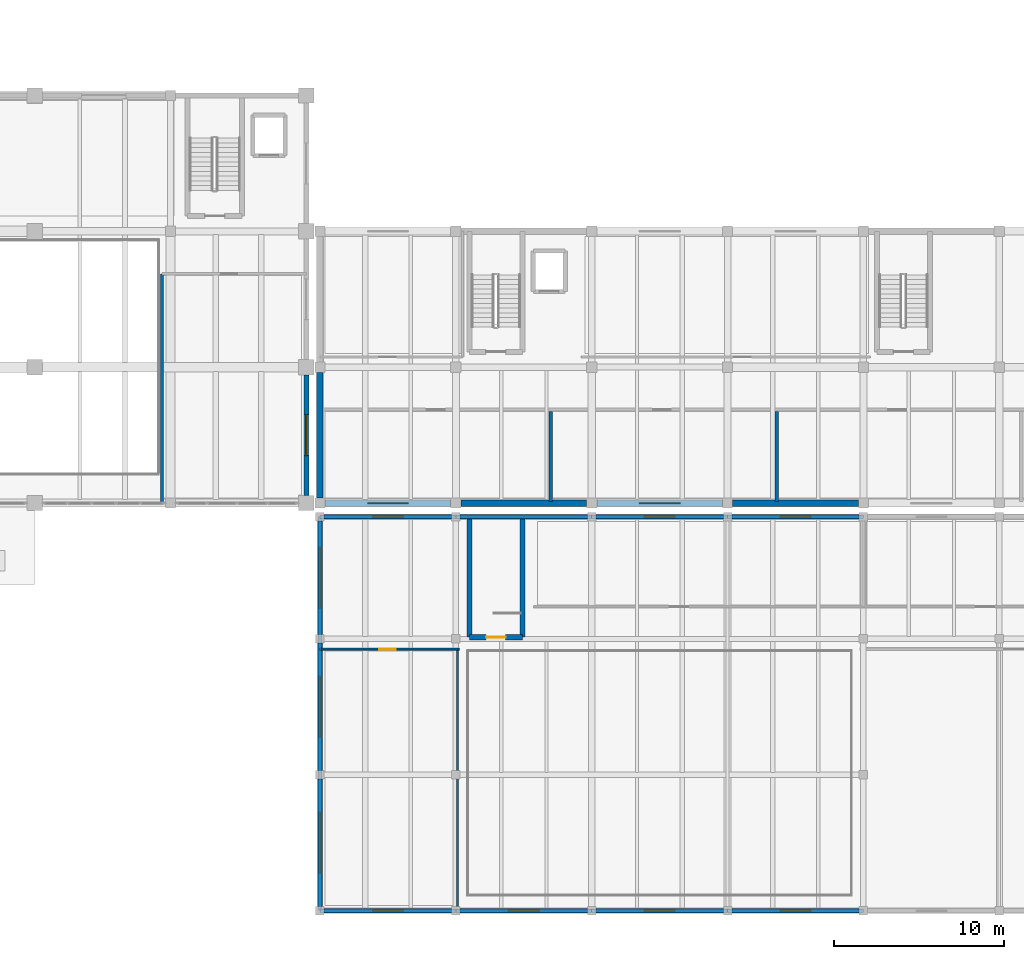
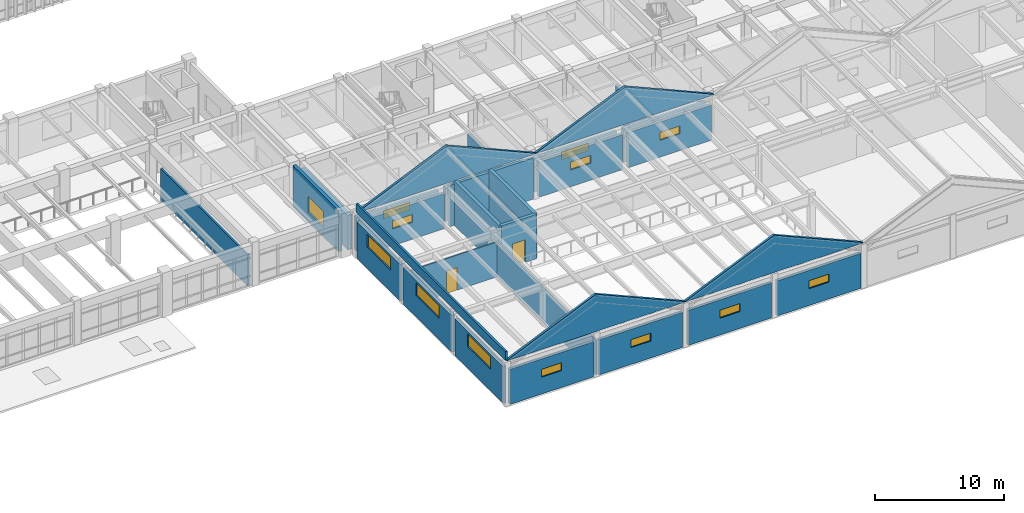
# One storey, part 44 of 67: 30 walls, 13 windows, 2 doors, 15 openings.
"""IFC4 building model written with IfcOpenShell, lengths in metres."""

from ifc_helpers import new_model, si_unit, direction, frame, frame_2d, origin, place, context, subcontext, project, spatial, polyline, rectangle, outline, extrude, material, layer, layer_set, type_object, element, fill, save


model = new_model("IFC4")

# Units and contexts
model_context = context("Model", 3, precision=1e-05, world=origin(), true_north=direction((0.0, 1.0)))
body_context = subcontext(model_context, "Body", "Model", "MODEL_VIEW")
ifc_project = project(units=[si_unit("LENGTHUNIT", "METRE"), si_unit("AREAUNIT", "SQUARE_METRE"), si_unit("VOLUMEUNIT", "CUBIC_METRE"), si_unit("PLANEANGLEUNIT", "RADIAN"), si_unit("MASSUNIT", "GRAM", prefix="KILO")], contexts=[model_context])

# Site, building, storey
site_placement = place(None, origin())
site = spatial("IfcSite", under=ifc_project, at=site_placement, CompositionType="ELEMENT")
building_placement = place(site_placement, origin())
building = spatial("IfcBuilding", under=site, at=building_placement, Name="Tlaxcora Railside Police Headquarters", CompositionType="ELEMENT")
storey_placement = place(building_placement, frame((0.0, 0.0, 4.800048828125)))
storey = spatial("IfcBuildingStorey", under=building, at=storey_placement, Name="L01", CompositionType="ELEMENT", Elevation=4.800048828125)

# Walls
ifc_material_1 = material(Name="Gypsum acoustic partition board")
ifc_layer_1 = layer(ifc_material_1, 0.10791015625, Name="Gypsum acoustic partition board")
ifc_layer_set_1 = layer_set([ifc_layer_1], Name="Gypsum acoustic partition board")
wall_type_1 = type_object("IfcWallType", Name="Interior Partition Wall IW-19", PredefinedType="PARTITIONING", material=ifc_layer_set_1)
wall_1_placement = place(storey_placement, frame((110.89990234375, 12.0, 0.0), z_axis=(0.0, 0.0, 1.0), x_axis=(0.0, 1.0, 0.0)))
element("IfcWall", 1, at=wall_1_placement, inside=storey, type_object=wall_type_1, Name="V3 L01 interior partition 89", PredefinedType="PARTITIONING", context=body_context, shape_type="SweptSolid", body=[
    extrude(rectangle(XDim=15.39990234375, YDim=0.10791015625, at=frame_2d((7.699951171875, 0.0))), origin(), (0.0, 0.0, 1.0), 3.31787109375),
])
ifc_layer_2 = layer(ifc_material_1, 0.16796875, Name="Gypsum acoustic partition board")
ifc_layer_set_2 = layer_set([ifc_layer_2], Name="Gypsum acoustic partition board")
wall_type_2 = type_object("IfcWallType", Name="Interior Partition Wall IW-31", PredefinedType="PARTITIONING", material=ifc_layer_set_2)
wall_2_placement = place(storey_placement, frame((93.5, 36.0, 0.0), z_axis=(0.0, 0.0, 1.0), x_axis=(0.0, 1.0, 0.0)))
element("IfcWall", 2, at=wall_2_placement, inside=storey, type_object=wall_type_2, Name="V1 L01 interior partition 82", PredefinedType="PARTITIONING", context=body_context, shape_type="SweptSolid", body=[
    extrude(rectangle(XDim=13.5, YDim=0.16796875, at=frame_2d((6.75, 0.0))), origin(), (0.0, 0.0, 1.0), 2.945068359375),
])
ifc_layer_3 = layer(ifc_material_1, 0.18994140625, Name="Gypsum acoustic partition board")
ifc_layer_set_3 = layer_set([ifc_layer_3], Name="Gypsum acoustic partition board")
wall_type_3 = type_object("IfcWallType", Name="Interior Partition Wall IW-72", PredefinedType="PARTITIONING", material=ifc_layer_set_3)
for number, where, z_axis, x_axis, name in (
    (3, (116.39599609375, 36.080078125, 0.0), (0.0, 0.0, 1.0), (0.0, 1.0, 0.0), "V7 L01 interior partition 92"),
    (4, (129.69189453125, 36.080078125, 0.0), (0.0, 0.0, 1.0), (0.0, 1.0, 0.0), "V7 L01 interior partition 93"),
):
    element("IfcWall", number, at=place(storey_placement, frame(where, z_axis=z_axis, x_axis=x_axis)), inside=storey, type_object=wall_type_3, Name=name, PredefinedType="PARTITIONING", context=body_context, shape_type="SweptSolid", body=[
        extrude(rectangle(XDim=5.31982421875, YDim=0.18994140625, at=frame_2d((2.659912109375, 0.0))), origin(), (0.0, 0.0, 1.0), 3.14501953125),
    ])

# Wall, opening, door
ifc_layer_4 = layer(ifc_material_1, 0.114990234375, Name="Gypsum acoustic partition board")
ifc_layer_set_4 = layer_set([ifc_layer_4], Name="Gypsum acoustic partition board")
wall_type_4 = type_object("IfcWallType", Name="Interior Partition Wall IW-87", PredefinedType="PARTITIONING", material=ifc_layer_set_4)
wall_3_placement = place(storey_placement, frame((102.800048828125, 27.39990234375, 0.0), z_axis=(0.0, 0.0, 1.0), x_axis=(1.0, 0.0, 0.0)))
wall_3 = element("IfcWall", 5, at=wall_3_placement, inside=storey, type_object=wall_type_4, Name="V3 L01 interior partition 88", PredefinedType="PARTITIONING", context=body_context, shape_type="SweptSolid", body=[
    extrude(rectangle(XDim=8.199951171875, YDim=0.114990234375, at=frame_2d((4.10009765625, 0.0))), origin(), (0.0, 0.0, 1.0), 3.31787109375),
])
opening_1_placement = place(wall_3_placement, frame((3.5, 0.0, 0.0)))
opening_1 = element("IfcOpeningElement", 6, at=opening_1_placement, cuts=wall_3, Name="Opening D-L01-131", PredefinedType="OPENING", context=body_context, shape_type="SweptSolid", body=[
    extrude(rectangle(XDim=0.949951171875, YDim=2.14990234375, at=frame_2d((0.47509765625, 1.074951171875))), frame((0.0, 0.0673828125, 0.0), z_axis=(0.0, -1.0, 0.0), x_axis=(1.0, 0.0, 0.0)), (0.0, 0.0, 1.0), 0.135009765625),
])
ifc_material_2 = material(Name="Steel ASTM A992 Grade 50", Category="steel")
door_type_1 = type_object("IfcDoorType", Name="Swing or Sliding Personnel Door ID-31", OperationType="NOTDEFINED", PredefinedType="DOOR", material=ifc_material_2)
door_1_placement = place(opening_1_placement, origin())
door_1 = element("IfcDoor", 7, at=door_1_placement, inside=storey, type_object=door_type_1, Name="V3 L01 door D-L01-131", OperationType="SINGLE_SWING_RIGHT", OverallHeight=2.14990234375, OverallWidth=0.949951171875, PredefinedType="DOOR", context=body_context, shape_type="SweptSolid", body=[
    extrude(rectangle(XDim=0.949951171875, YDim=2.14990234375, at=frame_2d((0.47509765625, 1.074951171875))), frame((0.0, 0.02490234375, 0.0), z_axis=(0.0, -1.0, 0.0), x_axis=(1.0, 0.0, 0.0)), (0.0, 0.0, 1.0), 0.050048828125),
])
fill(opening_1, door_1)

# Wall
ifc_material_3 = material(Name="Precast concrete C40/50", Category="concrete")
ifc_layer_5 = layer(ifc_material_3, 0.179931640625, Name="Precast concrete C40/50")
ifc_layer_set_5 = layer_set([ifc_layer_5], Name="Precast concrete C40/50")
wall_type_5 = type_object("IfcWallType", Name="Roof Parapet Wall EW-45", PredefinedType="PARAPET", material=ifc_layer_set_5)
wall_4_placement = place(storey_placement, frame((102.800048828125, 12.0, 4.199951171875), z_axis=(0.0, 0.0, 1.0), x_axis=(0.0, 1.0, 0.0)))
element("IfcWall", 8, at=wall_4_placement, inside=storey, type_object=wall_type_5, Name="Roof parapet L01-03", PredefinedType="PARAPET", context=body_context, shape_type="SweptSolid", body=[
    extrude(rectangle(XDim=23.199951171875, YDim=0.179931640625, at=frame_2d((11.60009765625, 0.0))), origin(), (0.0, 0.0, 1.0), 0.85009765625),
])

# Wall, opening, door
ifc_material_4 = material(Name="Concrete C40/50", Category="concrete")
ifc_layer_6 = layer(ifc_material_4, 0.300048828125, Name="Concrete C40/50")
ifc_layer_set_6 = layer_set([ifc_layer_6], Name="Concrete C40/50")
wall_type_6 = type_object("IfcWallType", Name="Shear Core Wall IW-28", PredefinedType="SHEAR", material=ifc_layer_set_6)
wall_5_placement = place(storey_placement, frame((111.60009765625, 28.10009765625, 0.0), z_axis=(0.0, 0.0, 1.0), x_axis=(1.0, 0.0, 0.0)))
wall_5 = element("IfcWall", 9, at=wall_5_placement, inside=storey, type_object=wall_type_6, Name="CORE-C8 L01 stair core wall S", PredefinedType="SHEAR", context=body_context, shape_type="SweptSolid", body=[
    extrude(rectangle(XDim=3.119873046875, YDim=0.300048828125, at=frame_2d((1.56005859375, 0.0))), origin(), (0.0, 0.0, 1.0), 4.199951171875),
])
opening_2_placement = place(wall_5_placement, frame((0.985107421875, 0.0, 0.0)))
opening_2 = element("IfcOpeningElement", 10, at=opening_2_placement, cuts=wall_5, Name="Opening SD-L01-056", PredefinedType="OPENING", context=body_context, shape_type="SweptSolid", body=[
    extrude(rectangle(XDim=1.14990234375, YDim=2.14990234375, at=frame_2d((0.574951171875, 1.074951171875))), frame((0.0, 0.16015625, 0.0), z_axis=(0.0, -1.0, 0.0), x_axis=(1.0, 0.0, 0.0)), (0.0, 0.0, 1.0), 0.320068359375),
])
door_type_2 = type_object("IfcDoorType", Name="Swing or Sliding Personnel Door ID-73", OperationType="NOTDEFINED", PredefinedType="DOOR", material=ifc_material_2)
door_2_placement = place(opening_2_placement, origin())
door_2 = element("IfcDoor", 11, at=door_2_placement, inside=storey, type_object=door_type_2, Name="Stair ST7 L01 enclosure fire door", OperationType="SINGLE_SWING_RIGHT", OverallHeight=2.14990234375, OverallWidth=1.14990234375, PredefinedType="DOOR", context=body_context, shape_type="SweptSolid", body=[
    extrude(rectangle(XDim=1.14990234375, YDim=2.14990234375, at=frame_2d((0.574951171875, 1.074951171875))), frame((0.0, 0.02490234375, 0.0), z_axis=(0.0, -1.0, 0.0), x_axis=(1.0, 0.0, 0.0)), (0.0, 0.0, 1.0), 0.050048828125),
])
fill(opening_2, door_2)

# Walls
for number, where, z_axis, x_axis, name in (
    (12, (114.719970703125, 28.10009765625, 0.0), (0.0, 0.0, 1.0), (0.0, 1.0, 0.0), "CORE-C8 L01 stair core wall E"),
    (13, (111.60009765625, 35.199951171875, 0.0), (0.0, 0.0, 1.0), (0.0, -1.0, 0.0), "CORE-C8 L01 stair core wall W"),
):
    element("IfcWall", number, at=place(storey_placement, frame(where, z_axis=z_axis, x_axis=x_axis)), inside=storey, type_object=wall_type_6, Name=name, PredefinedType="SHEAR", context=body_context, shape_type="SweptSolid", body=[
        extrude(rectangle(XDim=7.099853515625, YDim=0.300048828125, at=frame_2d((3.5498046875, 0.0))), origin(), (0.0, 0.0, 1.0), 4.199951171875),
    ])

# Wall, opening, window
ifc_layer_7 = layer(ifc_material_4, 0.3798828125, Name="Concrete C40/50")
ifc_layer_set_7 = layer_set([ifc_layer_7], Name="Concrete C40/50")
wall_type_7 = type_object("IfcWallType", Name="Structural Bearing Wall EW-29", PredefinedType="SOLIDWALL", material=ifc_layer_set_7)
wall_6_placement = place(storey_placement, frame((103.10009765625, 36.0, 0.0), z_axis=(0.0, 0.0, 1.0), x_axis=(1.0, 0.0, 0.0)))
wall_6 = element("IfcWall", 14, at=wall_6_placement, inside=storey, type_object=wall_type_7, Name="V7 L01 exterior wall 0.0", PredefinedType="SOLIDWALL", context=body_context, shape_type="SweptSolid", body=[
    extrude(rectangle(XDim=7.39990234375, YDim=0.3798828125, at=frame_2d((3.699951171875, 0.0))), origin(), (0.0, 0.0, 1.0), 3.159912109375),
])
opening_3_placement = place(wall_6_placement, frame((2.5, 0.0, 2.10009765625)))
opening_3 = element("IfcOpeningElement", 15, at=opening_3_placement, cuts=wall_6, Name="Opening WN-32", PredefinedType="OPENING", context=body_context, shape_type="SweptSolid", body=[
    extrude(rectangle(XDim=2.39990234375, YDim=0.75, at=frame_2d((1.199951171875, 0.375))), frame((0.0, 0.199951171875, 0.0), z_axis=(0.0, -1.0, 0.0), x_axis=(1.0, 0.0, 0.0)), (0.0, 0.0, 1.0), 0.39990234375),
])
ifc_material_5 = material(Name="Thermally broken low-E insulated glazing", Category="glass")
window_type_1 = type_object("IfcWindowType", Name="Exterior Framed or Circular Window WN-32", PartitioningType="SINGLE_PANEL", PredefinedType="WINDOW", material=ifc_material_5)
window_1_placement = place(opening_3_placement, origin())
window_1 = element("IfcWindow", 16, at=window_1_placement, inside=storey, type_object=window_type_1, Name="V7 L01 window 196", OverallHeight=0.75, OverallWidth=2.39990234375, PartitioningType="SINGLE_PANEL", PredefinedType="WINDOW", context=body_context, shape_type="SweptSolid", body=[
    extrude(rectangle(XDim=2.39990234375, YDim=0.75, at=frame_2d((1.199951171875, 0.375))), frame((0.0, 0.030029296875, 0.0), z_axis=(0.0, -1.0, 0.0), x_axis=(1.0, 0.0, 0.0)), (0.0, 0.0, 1.0), 0.06005859375),
])
fill(opening_3, window_1)

# Wall
wall_7_placement = place(storey_placement, frame((111.10009765625, 36.0, 0.0), z_axis=(0.0, 0.0, 1.0), x_axis=(1.0, 0.0, 0.0)))
element("IfcWall", 17, at=wall_7_placement, inside=storey, type_object=wall_type_7, Name="V7 L01 exterior wall 0.1", PredefinedType="SOLIDWALL", context=body_context, shape_type="SweptSolid", body=[
    extrude(rectangle(XDim=7.39990234375, YDim=0.3798828125, at=frame_2d((3.699951171875, 0.0))), origin(), (0.0, 0.0, 1.0), 3.159912109375),
])

# Wall, opening, window
wall_8_placement = place(storey_placement, frame((119.10009765625, 36.0, 0.0), z_axis=(0.0, 0.0, 1.0), x_axis=(1.0, 0.0, 0.0)))
wall_8 = element("IfcWall", 18, at=wall_8_placement, inside=storey, type_object=wall_type_7, Name="V7 L01 exterior wall 0.2", PredefinedType="SOLIDWALL", context=body_context, shape_type="SweptSolid", body=[
    extrude(rectangle(XDim=7.39990234375, YDim=0.3798828125, at=frame_2d((3.699951171875, 0.0))), origin(), (0.0, 0.0, 1.0), 3.159912109375),
])
opening_4_placement = place(wall_8_placement, frame((2.5, 0.0, 2.10009765625)))
opening_4 = element("IfcOpeningElement", 19, at=opening_4_placement, cuts=wall_8, Name="Opening WN-32", PredefinedType="OPENING", context=body_context, shape_type="SweptSolid", body=[
    extrude(rectangle(XDim=2.39990234375, YDim=0.75, at=frame_2d((1.199951171875, 0.375))), frame((0.0, 0.199951171875, 0.0), z_axis=(0.0, -1.0, 0.0), x_axis=(1.0, 0.0, 0.0)), (0.0, 0.0, 1.0), 0.39990234375),
])
window_2_placement = place(opening_4_placement, origin())
window_2 = element("IfcWindow", 20, at=window_2_placement, inside=storey, type_object=window_type_1, Name="V7 L01 window 197", OverallHeight=0.75, OverallWidth=2.39990234375, PartitioningType="SINGLE_PANEL", PredefinedType="WINDOW", context=body_context, shape_type="SweptSolid", body=[
    extrude(rectangle(XDim=2.39990234375, YDim=0.75, at=frame_2d((1.199951171875, 0.375))), frame((0.0, 0.030029296875, 0.0), z_axis=(0.0, -1.0, 0.0), x_axis=(1.0, 0.0, 0.0)), (0.0, 0.0, 1.0), 0.06005859375),
])
fill(opening_4, window_2)

# Walls
wall_9_placement = place(storey_placement, frame((127.10009765625, 36.0, 0.0), z_axis=(0.0, 0.0, 1.0), x_axis=(1.0, 0.0, 0.0)))
element("IfcWall", 21, at=wall_9_placement, inside=storey, type_object=wall_type_7, Name="V7 L01 exterior wall 0.3", PredefinedType="SOLIDWALL", context=body_context, shape_type="SweptSolid", body=[
    extrude(rectangle(XDim=7.39990234375, YDim=0.3798828125, at=frame_2d((3.699951171875, 0.0))), origin(), (0.0, 0.0, 1.0), 3.159912109375),
])
wall_10_placement = place(storey_placement, frame((102.800048828125, 43.699951171875, 0.0), z_axis=(0.0, 0.0, 1.0), x_axis=(0.0, -1.0, 0.0)))
element("IfcWall", 22, at=wall_10_placement, inside=storey, type_object=wall_type_7, Name="V7 L01 exterior wall 3.1", PredefinedType="SOLIDWALL", context=body_context, shape_type="SweptSolid", body=[
    extrude(rectangle(XDim=7.39990234375, YDim=0.3798828125, at=frame_2d((3.699951171875, 0.0))), origin(), (0.0, 0.0, 1.0), 3.260009765625),
])
ifc_layer_8 = layer(ifc_material_3, 0.215087890625, Name="Precast concrete C40/50")
ifc_layer_set_8 = layer_set([ifc_layer_8], Name="Precast concrete C40/50")
wall_type_8 = type_object("IfcWallType", Name="Structural Bearing Wall EW-34", PredefinedType="SOLIDWALL", material=ifc_layer_set_8)
for number, where, z_axis, x_axis, name in (
    (23, (102.800048828125, 12.0, 4.199951171875), (0.0, 0.0, 1.0), (1.0, 0.0, 0.0), "V3 folded gable end wall S-1"),
    (24, (102.800048828125, 35.199951171875, 4.199951171875), (0.0, 0.0, 1.0), (1.0, 0.0, 0.0), "V3 folded gable end wall N-1"),
    (25, (118.800048828125, 12.0, 4.199951171875), (0.0, 0.0, 1.0), (1.0, 0.0, 0.0), "V3 folded gable end wall S-2"),
    (26, (118.800048828125, 35.199951171875, 4.199951171875), (0.0, 0.0, 1.0), (1.0, 0.0, 0.0), "V3 folded gable end wall N-2"),
):
    element("IfcWall", number, at=place(storey_placement, frame(where, z_axis=z_axis, x_axis=x_axis)), inside=storey, type_object=wall_type_8, Name=name, PredefinedType="SOLIDWALL", context=body_context, shape_type="SweptSolid", body=[
        extrude(outline(polyline([(0.0, 0.0), (16.0, 0.0), (16.0, 0.050048828125), (8.0, 3.550048828125), (0.0, 0.050048828125), (0.0, 0.0)])), frame((0.0, 0.107421875, 0.0), z_axis=(0.0, -1.0, 0.0), x_axis=(1.0, 0.0, 0.0)), (0.0, 0.0, 1.0), 0.215087890625),
    ])

# Wall, opening, window
ifc_material_6 = material(Name="Pressed clay brick masonry", Category="masonry")
ifc_layer_9 = layer(ifc_material_6, 0.294921875, Name="Pressed clay brick masonry")
ifc_layer_set_9 = layer_set([ifc_layer_9], Name="Pressed clay brick masonry")
wall_type_9 = type_object("IfcWallType", Name="Structural Bearing Wall EW-74", PredefinedType="SOLIDWALL", material=ifc_layer_set_9)
wall_11_placement = place(storey_placement, frame((102.0, 36.449951171875, 0.0), z_axis=(0.0, 0.0, 1.0), x_axis=(0.0, 1.0, 0.0)))
wall_11 = element("IfcWall", 27, at=wall_11_placement, inside=storey, type_object=wall_type_9, Name="V1 L01 exterior wall 1.0", PredefinedType="SOLIDWALL", context=body_context, shape_type="SweptSolid", body=[
    extrude(rectangle(XDim=7.10009765625, YDim=0.294921875, at=frame_2d((3.550048828125, 0.0))), origin(), (0.0, 0.0, 1.0), 3.909912109375),
])
opening_5_placement = place(wall_11_placement, frame((2.35009765625, 0.0, 0.89990234375)))
opening_5 = element("IfcOpeningElement", 28, at=opening_5_placement, cuts=wall_11, Name="Opening WN-59", PredefinedType="OPENING", context=body_context, shape_type="SweptSolid", body=[
    extrude(rectangle(XDim=2.39990234375, YDim=1.5, at=frame_2d((1.199951171875, 0.75))), frame((0.0, 0.157470703125, 0.0), z_axis=(0.0, -1.0, 0.0), x_axis=(1.0, 0.0, 0.0)), (0.0, 0.0, 1.0), 0.31494140625),
])
window_type_2 = type_object("IfcWindowType", Name="Exterior Framed or Circular Window WN-59", PartitioningType="SINGLE_PANEL", PredefinedType="WINDOW", material=ifc_material_5)
window_3_placement = place(opening_5_placement, origin())
window_3 = element("IfcWindow", 29, at=window_3_placement, inside=storey, type_object=window_type_2, Name="V1 L01 window 26", OverallHeight=1.5, OverallWidth=2.39990234375, PartitioningType="SINGLE_PANEL", PredefinedType="WINDOW", context=body_context, shape_type="SweptSolid", body=[
    extrude(rectangle(XDim=2.39990234375, YDim=1.5, at=frame_2d((1.199951171875, 0.75))), frame((0.0, 0.030029296875, 0.0), z_axis=(0.0, -1.0, 0.0), x_axis=(1.0, 0.0, 0.0)), (0.0, 0.0, 1.0), 0.06005859375),
])
fill(opening_5, window_3)

ifc_layer_10 = layer(ifc_material_6, 0.27490234375, Name="Pressed clay brick masonry")
ifc_layer_set_10 = layer_set([ifc_layer_10], Name="Pressed clay brick masonry")
wall_type_10 = type_object("IfcWallType", Name="Structural Bearing Wall EW-84", PredefinedType="SOLIDWALL", material=ifc_layer_set_10)
wall_12_placement = place(storey_placement, frame((103.050048828125, 12.0, 0.0), z_axis=(0.0, 0.0, 1.0), x_axis=(1.0, 0.0, 0.0)))
wall_12 = element("IfcWall", 30, at=wall_12_placement, inside=storey, type_object=wall_type_10, Name="V3 L01 exterior wall 0.0", PredefinedType="SOLIDWALL", context=body_context, shape_type="SweptSolid", body=[
    extrude(rectangle(XDim=7.5, YDim=0.27490234375, at=frame_2d((3.75, 0.0))), origin(), (0.0, 0.0, 1.0), 3.3330078125),
])
opening_6_placement = place(wall_12_placement, frame((2.85009765625, 0.0, 1.60009765625)))
opening_6 = element("IfcOpeningElement", 31, at=opening_6_placement, cuts=wall_12, Name="Opening WN-40", PredefinedType="OPENING", context=body_context, shape_type="SweptSolid", body=[
    extrude(rectangle(XDim=1.800048828125, YDim=0.75, at=frame_2d((0.89990234375, 0.375))), frame((0.0, 0.1474609375, 0.0), z_axis=(0.0, -1.0, 0.0), x_axis=(1.0, 0.0, 0.0)), (0.0, 0.0, 1.0), 0.294921875),
])
window_type_3 = type_object("IfcWindowType", Name="Exterior Framed or Circular Window WN-40", PartitioningType="SINGLE_PANEL", PredefinedType="WINDOW", material=ifc_material_5)
window_4_placement = place(opening_6_placement, origin())
window_4 = element("IfcWindow", 32, at=window_4_placement, inside=storey, type_object=window_type_3, Name="V3 L01 window 53", OverallHeight=0.75, OverallWidth=1.800048828125, PartitioningType="SINGLE_PANEL", PredefinedType="WINDOW", context=body_context, shape_type="SweptSolid", body=[
    extrude(rectangle(XDim=1.800048828125, YDim=0.75, at=frame_2d((0.89990234375, 0.375))), frame((0.0, 0.030029296875, 0.0), z_axis=(0.0, -1.0, 0.0), x_axis=(1.0, 0.0, 0.0)), (0.0, 0.0, 1.0), 0.06005859375),
])
fill(opening_6, window_4)

wall_13_placement = place(storey_placement, frame((111.050048828125, 12.0, 0.0), z_axis=(0.0, 0.0, 1.0), x_axis=(1.0, 0.0, 0.0)))
wall_13 = element("IfcWall", 33, at=wall_13_placement, inside=storey, type_object=wall_type_10, Name="V3 L01 exterior wall 0.1", PredefinedType="SOLIDWALL", context=body_context, shape_type="SweptSolid", body=[
    extrude(rectangle(XDim=7.5, YDim=0.27490234375, at=frame_2d((3.75, 0.0))), origin(), (0.0, 0.0, 1.0), 3.3330078125),
])
opening_7_placement = place(wall_13_placement, frame((2.85009765625, 0.0, 1.60009765625)))
opening_7 = element("IfcOpeningElement", 34, at=opening_7_placement, cuts=wall_13, Name="Opening WN-40", PredefinedType="OPENING", context=body_context, shape_type="SweptSolid", body=[
    extrude(rectangle(XDim=1.800048828125, YDim=0.75, at=frame_2d((0.89990234375, 0.375))), frame((0.0, 0.1474609375, 0.0), z_axis=(0.0, -1.0, 0.0), x_axis=(1.0, 0.0, 0.0)), (0.0, 0.0, 1.0), 0.294921875),
])
window_5_placement = place(opening_7_placement, origin())
window_5 = element("IfcWindow", 35, at=window_5_placement, inside=storey, type_object=window_type_3, Name="V3 L01 window 54", OverallHeight=0.75, OverallWidth=1.800048828125, PartitioningType="SINGLE_PANEL", PredefinedType="WINDOW", context=body_context, shape_type="SweptSolid", body=[
    extrude(rectangle(XDim=1.800048828125, YDim=0.75, at=frame_2d((0.89990234375, 0.375))), frame((0.0, 0.030029296875, 0.0), z_axis=(0.0, -1.0, 0.0), x_axis=(1.0, 0.0, 0.0)), (0.0, 0.0, 1.0), 0.06005859375),
])
fill(opening_7, window_5)

wall_14_placement = place(storey_placement, frame((119.050048828125, 12.0, 0.0), z_axis=(0.0, 0.0, 1.0), x_axis=(1.0, 0.0, 0.0)))
wall_14 = element("IfcWall", 36, at=wall_14_placement, inside=storey, type_object=wall_type_10, Name="V3 L01 exterior wall 0.2", PredefinedType="SOLIDWALL", context=body_context, shape_type="SweptSolid", body=[
    extrude(rectangle(XDim=7.5, YDim=0.27490234375, at=frame_2d((3.75, 0.0))), origin(), (0.0, 0.0, 1.0), 3.3330078125),
])
opening_8_placement = place(wall_14_placement, frame((2.85009765625, 0.0, 1.60009765625)))
opening_8 = element("IfcOpeningElement", 37, at=opening_8_placement, cuts=wall_14, Name="Opening WN-40", PredefinedType="OPENING", context=body_context, shape_type="SweptSolid", body=[
    extrude(rectangle(XDim=1.800048828125, YDim=0.75, at=frame_2d((0.89990234375, 0.375))), frame((0.0, 0.1474609375, 0.0), z_axis=(0.0, -1.0, 0.0), x_axis=(1.0, 0.0, 0.0)), (0.0, 0.0, 1.0), 0.294921875),
])
window_6_placement = place(opening_8_placement, origin())
window_6 = element("IfcWindow", 38, at=window_6_placement, inside=storey, type_object=window_type_3, Name="V3 L01 window 55", OverallHeight=0.75, OverallWidth=1.800048828125, PartitioningType="SINGLE_PANEL", PredefinedType="WINDOW", context=body_context, shape_type="SweptSolid", body=[
    extrude(rectangle(XDim=1.800048828125, YDim=0.75, at=frame_2d((0.89990234375, 0.375))), frame((0.0, 0.030029296875, 0.0), z_axis=(0.0, -1.0, 0.0), x_axis=(1.0, 0.0, 0.0)), (0.0, 0.0, 1.0), 0.06005859375),
])
fill(opening_8, window_6)

wall_15_placement = place(storey_placement, frame((127.050048828125, 12.0, 0.0), z_axis=(0.0, 0.0, 1.0), x_axis=(1.0, 0.0, 0.0)))
wall_15 = element("IfcWall", 39, at=wall_15_placement, inside=storey, type_object=wall_type_10, Name="V3 L01 exterior wall 0.3", PredefinedType="SOLIDWALL", context=body_context, shape_type="SweptSolid", body=[
    extrude(rectangle(XDim=7.5, YDim=0.27490234375, at=frame_2d((3.75, 0.0))), origin(), (0.0, 0.0, 1.0), 3.3330078125),
])
opening_9_placement = place(wall_15_placement, frame((2.85009765625, 0.0, 1.60009765625)))
opening_9 = element("IfcOpeningElement", 40, at=opening_9_placement, cuts=wall_15, Name="Opening WN-40", PredefinedType="OPENING", context=body_context, shape_type="SweptSolid", body=[
    extrude(rectangle(XDim=1.800048828125, YDim=0.75, at=frame_2d((0.89990234375, 0.375))), frame((0.0, 0.1474609375, 0.0), z_axis=(0.0, -1.0, 0.0), x_axis=(1.0, 0.0, 0.0)), (0.0, 0.0, 1.0), 0.294921875),
])
window_7_placement = place(opening_9_placement, origin())
window_7 = element("IfcWindow", 41, at=window_7_placement, inside=storey, type_object=window_type_3, Name="V3 L01 window 56", OverallHeight=0.75, OverallWidth=1.800048828125, PartitioningType="SINGLE_PANEL", PredefinedType="WINDOW", context=body_context, shape_type="SweptSolid", body=[
    extrude(rectangle(XDim=1.800048828125, YDim=0.75, at=frame_2d((0.89990234375, 0.375))), frame((0.0, 0.030029296875, 0.0), z_axis=(0.0, -1.0, 0.0), x_axis=(1.0, 0.0, 0.0)), (0.0, 0.0, 1.0), 0.06005859375),
])
fill(opening_9, window_7)

wall_16_placement = place(storey_placement, frame((134.550048828125, 35.199951171875, 0.0), z_axis=(0.0, 0.0, 1.0), x_axis=(-1.0, 0.0, 0.0)))
wall_16 = element("IfcWall", 42, at=wall_16_placement, inside=storey, type_object=wall_type_10, Name="V3 L01 exterior wall 2.4", PredefinedType="SOLIDWALL", context=body_context, shape_type="SweptSolid", body=[
    extrude(rectangle(XDim=7.5, YDim=0.27490234375, at=frame_2d((3.75, 0.0))), origin(), (0.0, 0.0, 1.0), 3.3330078125),
])
opening_10_placement = place(wall_16_placement, frame((2.85009765625, 0.0, 1.60009765625)))
opening_10 = element("IfcOpeningElement", 43, at=opening_10_placement, cuts=wall_16, Name="Opening WN-40", PredefinedType="OPENING", context=body_context, shape_type="SweptSolid", body=[
    extrude(rectangle(XDim=1.800048828125, YDim=0.75, at=frame_2d((0.89990234375, 0.375))), frame((0.0, 0.1474609375, 0.0), z_axis=(0.0, -1.0, 0.0), x_axis=(1.0, 0.0, 0.0)), (0.0, 0.0, 1.0), 0.294921875),
])
window_8_placement = place(opening_10_placement, origin())
window_8 = element("IfcWindow", 44, at=window_8_placement, inside=storey, type_object=window_type_3, Name="V3 L01 window 66", OverallHeight=0.75, OverallWidth=1.800048828125, PartitioningType="SINGLE_PANEL", PredefinedType="WINDOW", context=body_context, shape_type="SweptSolid", body=[
    extrude(rectangle(XDim=1.800048828125, YDim=0.75, at=frame_2d((0.89990234375, 0.375))), frame((0.0, 0.030029296875, 0.0), z_axis=(0.0, -1.0, 0.0), x_axis=(1.0, 0.0, 0.0)), (0.0, 0.0, 1.0), 0.06005859375),
])
fill(opening_10, window_8)

wall_17_placement = place(storey_placement, frame((126.550048828125, 35.199951171875, 0.0), z_axis=(0.0, 0.0, 1.0), x_axis=(-1.0, 0.0, 0.0)))
wall_17 = element("IfcWall", 45, at=wall_17_placement, inside=storey, type_object=wall_type_10, Name="V3 L01 exterior wall 2.5", PredefinedType="SOLIDWALL", context=body_context, shape_type="SweptSolid", body=[
    extrude(rectangle(XDim=7.5, YDim=0.27490234375, at=frame_2d((3.75, 0.0))), origin(), (0.0, 0.0, 1.0), 3.3330078125),
])
opening_11_placement = place(wall_17_placement, frame((2.85009765625, 0.0, 1.60009765625)))
opening_11 = element("IfcOpeningElement", 46, at=opening_11_placement, cuts=wall_17, Name="Opening WN-40", PredefinedType="OPENING", context=body_context, shape_type="SweptSolid", body=[
    extrude(rectangle(XDim=1.800048828125, YDim=0.75, at=frame_2d((0.89990234375, 0.375))), frame((0.0, 0.1474609375, 0.0), z_axis=(0.0, -1.0, 0.0), x_axis=(1.0, 0.0, 0.0)), (0.0, 0.0, 1.0), 0.294921875),
])
window_9_placement = place(opening_11_placement, origin())
window_9 = element("IfcWindow", 47, at=window_9_placement, inside=storey, type_object=window_type_3, Name="V3 L01 window 67", OverallHeight=0.75, OverallWidth=1.800048828125, PartitioningType="SINGLE_PANEL", PredefinedType="WINDOW", context=body_context, shape_type="SweptSolid", body=[
    extrude(rectangle(XDim=1.800048828125, YDim=0.75, at=frame_2d((0.89990234375, 0.375))), frame((0.0, 0.030029296875, 0.0), z_axis=(0.0, -1.0, 0.0), x_axis=(1.0, 0.0, 0.0)), (0.0, 0.0, 1.0), 0.06005859375),
])
fill(opening_11, window_9)

# Wall
wall_18_placement = place(storey_placement, frame((118.550048828125, 35.199951171875, 0.0), z_axis=(0.0, 0.0, 1.0), x_axis=(-1.0, 0.0, 0.0)))
element("IfcWall", 48, at=wall_18_placement, inside=storey, type_object=wall_type_10, Name="V3 L01 exterior wall 2.6", PredefinedType="SOLIDWALL", context=body_context, shape_type="SweptSolid", body=[
    extrude(rectangle(XDim=7.5, YDim=0.27490234375, at=frame_2d((3.75, 0.0))), origin(), (0.0, 0.0, 1.0), 3.909912109375),
])

# Wall, opening, window
wall_19_placement = place(storey_placement, frame((110.550048828125, 35.199951171875, 0.0), z_axis=(0.0, 0.0, 1.0), x_axis=(-1.0, 0.0, 0.0)))
wall_19 = element("IfcWall", 49, at=wall_19_placement, inside=storey, type_object=wall_type_10, Name="V3 L01 exterior wall 2.7", PredefinedType="SOLIDWALL", context=body_context, shape_type="SweptSolid", body=[
    extrude(rectangle(XDim=7.5, YDim=0.27490234375, at=frame_2d((3.75, 0.0))), origin(), (0.0, 0.0, 1.0), 3.3330078125),
])
opening_12_placement = place(wall_19_placement, frame((2.85009765625, 0.0, 1.60009765625)))
opening_12 = element("IfcOpeningElement", 50, at=opening_12_placement, cuts=wall_19, Name="Opening WN-40", PredefinedType="OPENING", context=body_context, shape_type="SweptSolid", body=[
    extrude(rectangle(XDim=1.800048828125, YDim=0.75, at=frame_2d((0.89990234375, 0.375))), frame((0.0, 0.1474609375, 0.0), z_axis=(0.0, -1.0, 0.0), x_axis=(1.0, 0.0, 0.0)), (0.0, 0.0, 1.0), 0.294921875),
])
window_10_placement = place(opening_12_placement, origin())
window_10 = element("IfcWindow", 51, at=window_10_placement, inside=storey, type_object=window_type_3, Name="V3 L01 window 68", OverallHeight=0.75, OverallWidth=1.800048828125, PartitioningType="SINGLE_PANEL", PredefinedType="WINDOW", context=body_context, shape_type="SweptSolid", body=[
    extrude(rectangle(XDim=1.800048828125, YDim=0.75, at=frame_2d((0.89990234375, 0.375))), frame((0.0, 0.030029296875, 0.0), z_axis=(0.0, -1.0, 0.0), x_axis=(1.0, 0.0, 0.0)), (0.0, 0.0, 1.0), 0.06005859375),
])
fill(opening_12, window_10)

wall_20_placement = place(storey_placement, frame((102.800048828125, 34.949951171875, 0.0), z_axis=(0.0, 0.0, 1.0), x_axis=(0.0, -1.0, 0.0)))
wall_20 = element("IfcWall", 52, at=wall_20_placement, inside=storey, type_object=wall_type_10, Name="V3 L01 exterior wall 3.0", PredefinedType="SOLIDWALL", context=body_context, shape_type="SweptSolid", body=[
    extrude(rectangle(XDim=6.699951171875, YDim=0.27490234375, at=frame_2d((3.35009765625, 0.0))), origin(), (0.0, 0.0, 1.0), 3.488037109375),
])
opening_13_placement = place(wall_20_placement, frame((1.550048828125, 0.0, 2.050048828125)))
opening_13 = element("IfcOpeningElement", 53, at=opening_13_placement, cuts=wall_20, Name="Opening WN-77", PredefinedType="OPENING", context=body_context, shape_type="SweptSolid", body=[
    extrude(rectangle(XDim=3.60009765625, YDim=1.199951171875, at=frame_2d((1.800048828125, 0.60009765625))), frame((0.0, 0.1474609375, 0.0), z_axis=(0.0, -1.0, 0.0), x_axis=(1.0, 0.0, 0.0)), (0.0, 0.0, 1.0), 0.294921875),
])
window_type_4 = type_object("IfcWindowType", Name="Exterior Framed or Circular Window WN-77", PartitioningType="SINGLE_PANEL", PredefinedType="WINDOW", material=ifc_material_5)
window_11_placement = place(opening_13_placement, origin())
window_11 = element("IfcWindow", 54, at=window_11_placement, inside=storey, type_object=window_type_4, Name="V3 L01 window 69", OverallHeight=1.199951171875, OverallWidth=3.60009765625, PartitioningType="SINGLE_PANEL", PredefinedType="WINDOW", context=body_context, shape_type="SweptSolid", body=[
    extrude(rectangle(XDim=3.60009765625, YDim=1.199951171875, at=frame_2d((1.800048828125, 0.60009765625))), frame((0.0, 0.030029296875, 0.0), z_axis=(0.0, -1.0, 0.0), x_axis=(1.0, 0.0, 0.0)), (0.0, 0.0, 1.0), 0.06005859375),
])
fill(opening_13, window_11)

wall_21_placement = place(storey_placement, frame((102.800048828125, 27.75, 0.0), z_axis=(0.0, 0.0, 1.0), x_axis=(0.0, -1.0, 0.0)))
wall_21 = element("IfcWall", 55, at=wall_21_placement, inside=storey, type_object=wall_type_10, Name="V3 L01 exterior wall 3.1", PredefinedType="SOLIDWALL", context=body_context, shape_type="SweptSolid", body=[
    extrude(rectangle(XDim=7.5, YDim=0.27490234375, at=frame_2d((3.75, 0.0))), origin(), (0.0, 0.0, 1.0), 3.488037109375),
])
opening_14_placement = place(wall_21_placement, frame((1.949951171875, 0.0, 2.050048828125)))
opening_14 = element("IfcOpeningElement", 56, at=opening_14_placement, cuts=wall_21, Name="Opening WN-77", PredefinedType="OPENING", context=body_context, shape_type="SweptSolid", body=[
    extrude(rectangle(XDim=3.60009765625, YDim=1.199951171875, at=frame_2d((1.800048828125, 0.60009765625))), frame((0.0, 0.1474609375, 0.0), z_axis=(0.0, -1.0, 0.0), x_axis=(1.0, 0.0, 0.0)), (0.0, 0.0, 1.0), 0.294921875),
])
window_12_placement = place(opening_14_placement, origin())
window_12 = element("IfcWindow", 57, at=window_12_placement, inside=storey, type_object=window_type_4, Name="V3 L01 window 70", OverallHeight=1.199951171875, OverallWidth=3.60009765625, PartitioningType="SINGLE_PANEL", PredefinedType="WINDOW", context=body_context, shape_type="SweptSolid", body=[
    extrude(rectangle(XDim=3.60009765625, YDim=1.199951171875, at=frame_2d((1.800048828125, 0.60009765625))), frame((0.0, 0.030029296875, 0.0), z_axis=(0.0, -1.0, 0.0), x_axis=(1.0, 0.0, 0.0)), (0.0, 0.0, 1.0), 0.06005859375),
])
fill(opening_14, window_12)

wall_22_placement = place(storey_placement, frame((102.800048828125, 19.75, 0.0), z_axis=(0.0, 0.0, 1.0), x_axis=(0.0, -1.0, 0.0)))
wall_22 = element("IfcWall", 58, at=wall_22_placement, inside=storey, type_object=wall_type_10, Name="V3 L01 exterior wall 3.2", PredefinedType="SOLIDWALL", context=body_context, shape_type="SweptSolid", body=[
    extrude(rectangle(XDim=7.5, YDim=0.27490234375, at=frame_2d((3.75, 0.0))), origin(), (0.0, 0.0, 1.0), 3.488037109375),
])
opening_15_placement = place(wall_22_placement, frame((1.949951171875, 0.0, 2.050048828125)))
opening_15 = element("IfcOpeningElement", 59, at=opening_15_placement, cuts=wall_22, Name="Opening WN-77", PredefinedType="OPENING", context=body_context, shape_type="SweptSolid", body=[
    extrude(rectangle(XDim=3.60009765625, YDim=1.199951171875, at=frame_2d((1.800048828125, 0.60009765625))), frame((0.0, 0.1474609375, 0.0), z_axis=(0.0, -1.0, 0.0), x_axis=(1.0, 0.0, 0.0)), (0.0, 0.0, 1.0), 0.294921875),
])
window_13_placement = place(opening_15_placement, origin())
window_13 = element("IfcWindow", 60, at=window_13_placement, inside=storey, type_object=window_type_4, Name="V3 L01 window 71", OverallHeight=1.199951171875, OverallWidth=3.60009765625, PartitioningType="SINGLE_PANEL", PredefinedType="WINDOW", context=body_context, shape_type="SweptSolid", body=[
    extrude(rectangle(XDim=3.60009765625, YDim=1.199951171875, at=frame_2d((1.800048828125, 0.60009765625))), frame((0.0, 0.030029296875, 0.0), z_axis=(0.0, -1.0, 0.0), x_axis=(1.0, 0.0, 0.0)), (0.0, 0.0, 1.0), 0.06005859375),
])
fill(opening_15, window_13)

save(model, "model.ifc")
